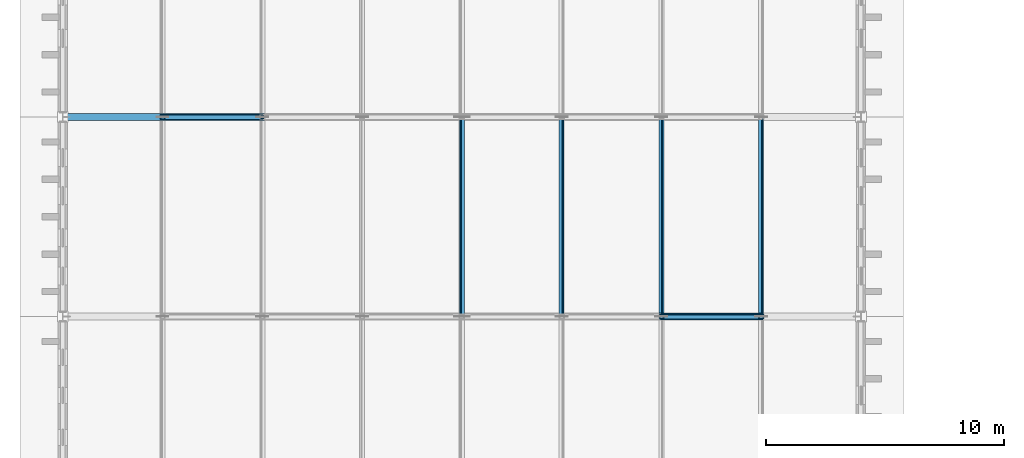
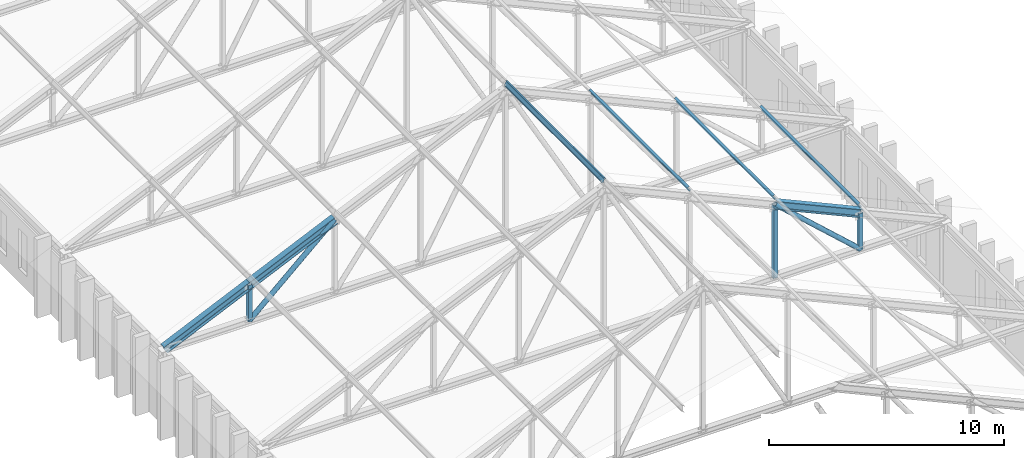
# One storey, part 9 of 110: 12 members.
"""IFC4 building model written with IfcOpenShell, lengths in metres."""

from ifc_helpers import new_model, si_unit, direction, frame, origin, origin_2d, place, context, subcontext, project, spatial, hollow_rectangle, hollow_circle, i_section, extrude, material, material_profile, profile_set, type_object, element, save


model = new_model("IFC4")

# Units and contexts
model_context = context("Model", 3, precision=1e-05, world=origin(), true_north=direction((0.0, 1.0)))
body_context = subcontext(model_context, "Body", "Model", "MODEL_VIEW")
ifc_project = project(units=[si_unit("LENGTHUNIT", "METRE"), si_unit("AREAUNIT", "SQUARE_METRE"), si_unit("VOLUMEUNIT", "CUBIC_METRE"), si_unit("PLANEANGLEUNIT", "RADIAN"), si_unit("MASSUNIT", "GRAM", prefix="KILO")], contexts=[model_context])

# Site, building, storey
site_placement = place(None, origin())
site = spatial("IfcSite", under=ifc_project, at=site_placement, CompositionType="ELEMENT")
building_placement = place(site_placement, origin())
building = spatial("IfcBuilding", under=site, at=building_placement, Name="Kveldsbrygga Polytechnic", CompositionType="ELEMENT")
storey_placement = place(building_placement, frame((0.0, 0.0, 9.860107421875)))
storey = spatial("IfcBuildingStorey", under=building, at=storey_placement, Name="L02", CompositionType="ELEMENT", Elevation=9.860107421875)

# Members
ifc_material = material(Name="Steel S355", Category="steel")
ifc_material_profile_1 = material_profile(ifc_material, i_section(OverallWidth=0.1201171875, OverallDepth=0.239990234375, WebThickness=0.006103515625, FlangeThickness=0.009765625, FilletRadius=0.014892578125, at=origin_2d()), Name="IPE 240")
ifc_profile_set_1 = profile_set([ifc_material_profile_1], Name="Steel S355")
member_type_1 = type_object("IfcMemberType", Name="PRL-IPE240", PredefinedType="PURLIN", material=ifc_profile_set_1)
for number, where, z_axis, x_axis, name in (
    (1, (16.800048828125, 42.0, 11.731201171875), (0.0, 1.0, 0.0), (-0.911107850446, 0.0, 0.41216802988), "Roof Purlin V1W-PRL-3-4"),
    (2, (21.0, 42.0, 9.8310546875), (0.0, 1.0, 0.0), (-0.911107850446, 0.0, -0.41216802988), "Roof Purlin V1W-PRL-3-5"),
    (3, (25.199951171875, 42.0, 7.93115234375), (0.0, 1.0, 0.0), (-0.911107850446, 0.0, -0.41216802988), "Roof Purlin V1W-PRL-3-6"),
    (4, (29.39990234375, 42.0, 6.031005859375), (0.0, 1.0, 0.0), (-0.911107850446, 0.0, -0.41216802988), "Roof Purlin V1W-PRL-3-7"),
):
    element("IfcMember", number, at=place(storey_placement, frame(where, z_axis=z_axis, x_axis=x_axis)), inside=storey, type_object=member_type_1, Name=name, PredefinedType="PURLIN", context=body_context, shape_type="SweptSolid", body=[
        extrude(i_section(OverallWidth=0.1201171875, OverallDepth=0.239990234375, WebThickness=0.006103515625, FlangeThickness=0.009765625, FilletRadius=0.014892578125, at=origin_2d()), origin(), (0.0, 0.0, 1.0), 8.39990234375),
    ])
ifc_material_profile_2 = material_profile(ifc_material, hollow_circle(Radius=0.122314453125, WallThickness=0.012451171875, at=origin_2d()), Name="CHS 244.5x12.5")
ifc_profile_set_2 = profile_set([ifc_material_profile_2], Name="Steel S355")
member_type_2 = type_object("IfcMemberType", Name="TR-DIAG-CHS245", PredefinedType="BRACE", material=ifc_profile_set_2)
for number, where, z_axis, x_axis, name in (
    (5, (25.199951171875, 42.0, 7.579833984375), (0.741527609628, 0.0, -0.670922353302), (0.0, 1.0, 0.0), "Truss Diagonal V1W-T03-DG-7"),
    (6, (4.199951171875, 50.39990234375, 3.77978515625), (0.741527609628, 0.0, 0.670922353302), (0.0, 1.0, 0.0), "Truss Diagonal V1W-T04-DG-2"),
):
    element("IfcMember", number, at=place(storey_placement, frame(where, z_axis=z_axis, x_axis=x_axis)), inside=storey, type_object=member_type_2, Name=name, PredefinedType="BRACE", context=body_context, shape_type="SweptSolid", body=[
        extrude(hollow_circle(Radius=0.122314453125, WallThickness=0.012451171875, at=origin_2d()), origin(), (0.0, 0.0, 1.0), 5.663818359375),
    ])
ifc_material_profile_3 = material_profile(ifc_material, hollow_rectangle(XDim=0.199951171875, YDim=0.199951171875, WallThickness=0.012451171875, at=origin_2d()), Name="SHS 200x200x12.5")
ifc_profile_set_3 = profile_set([ifc_material_profile_3], Name="Steel S355")
member_type_3 = type_object("IfcMemberType", Name="TR-POST-SHS200", PredefinedType="STRUT", material=ifc_profile_set_3)
member_1_placement = place(storey_placement, frame((25.199951171875, 42.0, 3.77978515625), z_axis=(0.0, 0.0, 1.0), x_axis=(1.0, 0.0, 0.0)))
element("IfcMember", 7, at=member_1_placement, inside=storey, type_object=member_type_3, Name="Truss Vertical V1W-T03-VT-6", PredefinedType="STRUT", context=body_context, shape_type="SweptSolid", body=[
    extrude(hollow_rectangle(XDim=0.199951171875, YDim=0.199951171875, WallThickness=0.012451171875, at=origin_2d()), origin(), (0.0, 0.0, 1.0), 3.800048828125),
])
for number, where, z_axis, x_axis, name in (
    (8, (29.39990234375, 42.0, 3.77978515625), (0.0, 0.0, 1.0), (1.0, 0.0, 0.0), "Truss Vertical V1W-T03-VT-7"),
    (9, (4.199951171875, 50.39990234375, 3.77978515625), (0.0, 0.0, 1.0), (1.0, 0.0, 0.0), "Truss Vertical V1W-T04-VT-1"),
):
    element("IfcMember", number, at=place(storey_placement, frame(where, z_axis=z_axis, x_axis=x_axis)), inside=storey, type_object=member_type_3, Name=name, PredefinedType="STRUT", context=body_context, shape_type="SweptSolid", body=[
        extrude(hollow_rectangle(XDim=0.199951171875, YDim=0.199951171875, WallThickness=0.012451171875, at=origin_2d()), origin(), (0.0, 0.0, 1.0), 1.900146484375),
    ])
ifc_material_profile_4 = material_profile(ifc_material, i_section(OverallWidth=0.300048828125, OverallDepth=0.39990234375, WebThickness=0.013427734375, FlangeThickness=0.02392578125, FilletRadius=0.027099609375, at=origin_2d()), Name="HEB 400")
ifc_profile_set_4 = profile_set([ifc_material_profile_4], Name="Steel S355")
member_type_4 = type_object("IfcMemberType", Name="TR-TOP-HEB400", PredefinedType="CHORD", material=ifc_profile_set_4)
member_2_placement = place(storey_placement, frame((25.199951171875, 42.0, 7.579833984375), z_axis=(0.91111407885, 0.0, -0.41215426156), x_axis=(0.0, 1.0, 0.0)))
element("IfcMember", 10, at=member_2_placement, inside=storey, type_object=member_type_4, Name="Truss Top Chord V1W-T03-TC-7", PredefinedType="CHORD", context=body_context, shape_type="SweptSolid", body=[
    extrude(i_section(OverallWidth=0.300048828125, OverallDepth=0.39990234375, WebThickness=0.013427734375, FlangeThickness=0.02392578125, FilletRadius=0.027099609375, at=origin_2d()), origin(), (0.0, 0.0, 1.0), 4.609619140625),
])
member_3_placement = place(storey_placement, frame((0.0, 50.39990234375, 3.77978515625), z_axis=(0.911094189765, 0.0, 0.412198225829), x_axis=(0.0, 1.0, 0.0)))
element("IfcMember", 11, at=member_3_placement, inside=storey, type_object=member_type_4, Name="Truss Top Chord V1W-T04-TC-1", PredefinedType="CHORD", context=body_context, shape_type="SweptSolid", body=[
    extrude(i_section(OverallWidth=0.300048828125, OverallDepth=0.39990234375, WebThickness=0.013427734375, FlangeThickness=0.02392578125, FilletRadius=0.027099609375, at=origin_2d()), origin(), (0.0, 0.0, 1.0), 4.60986328125),
])
member_4_placement = place(storey_placement, frame((4.199951171875, 50.39990234375, 5.679931640625), z_axis=(0.91111407885, 0.0, 0.41215426156), x_axis=(0.0, 1.0, 0.0)))
element("IfcMember", 12, at=member_4_placement, inside=storey, type_object=member_type_4, Name="Truss Top Chord V1W-T04-TC-2", PredefinedType="CHORD", context=body_context, shape_type="SweptSolid", body=[
    extrude(i_section(OverallWidth=0.300048828125, OverallDepth=0.39990234375, WebThickness=0.013427734375, FlangeThickness=0.02392578125, FilletRadius=0.027099609375, at=origin_2d()), origin(), (0.0, 0.0, 1.0), 4.609619140625),
])

save(model, "model.ifc")
